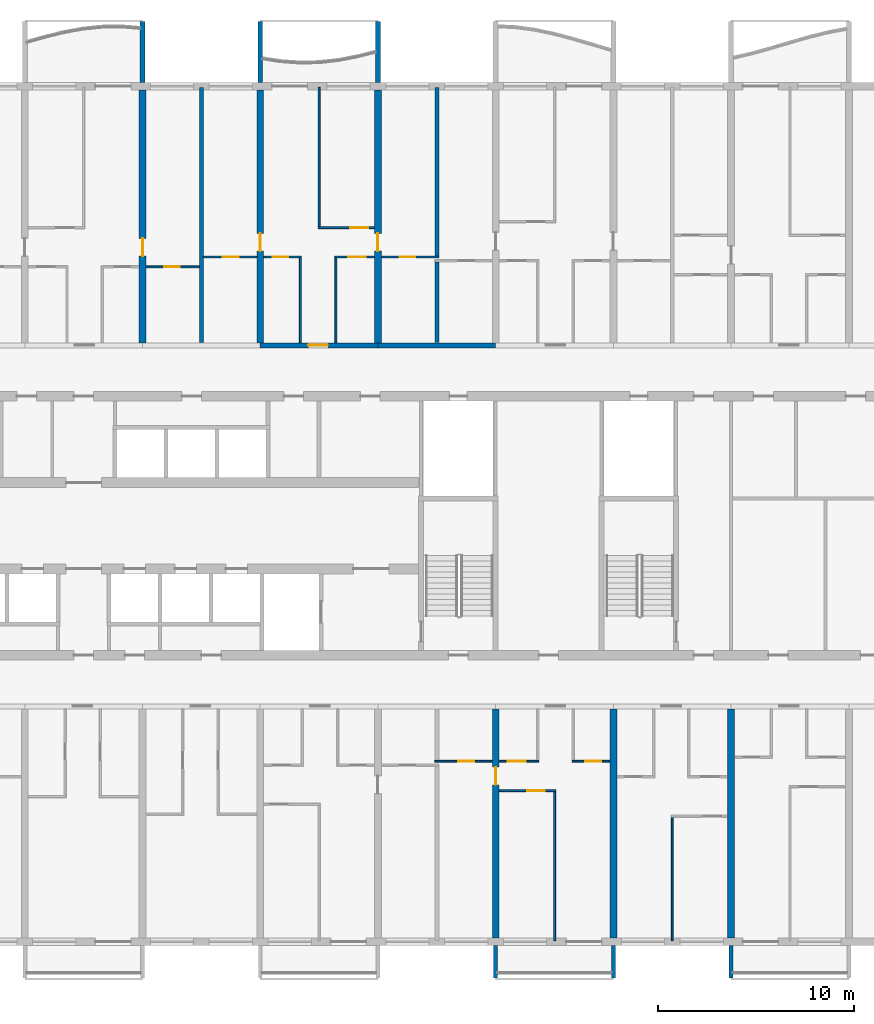
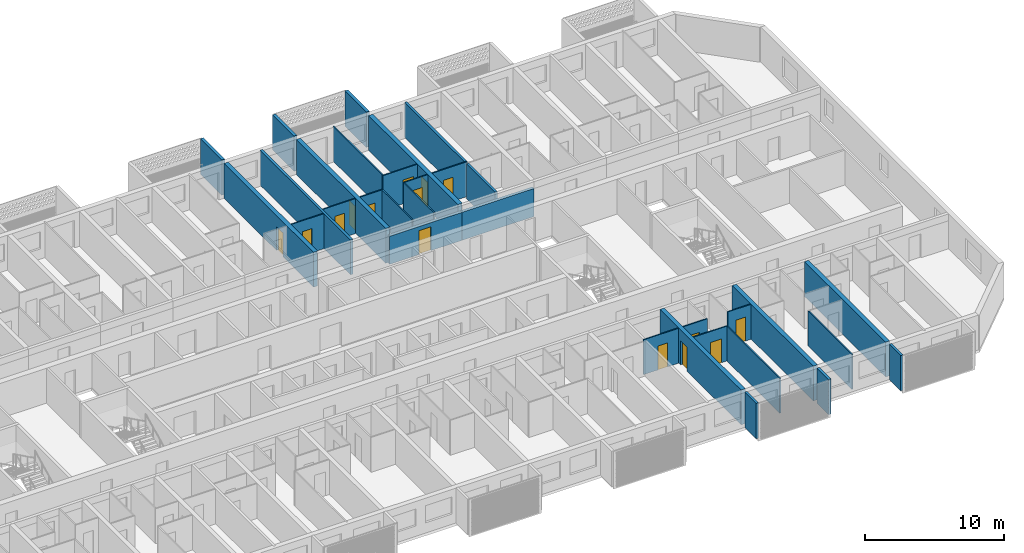
# One storey, part 13 of 29: 32 walls, 15 doors, 15 openings.
"""IFC4 building model written with IfcOpenShell, lengths in metres."""

from ifc_helpers import new_model, si_unit, direction, frame, frame_2d, origin, place, context, subcontext, project, spatial, polyline, rectangle, outline, extrude, source, transform, mapped, material, layer, layer_set, type_object, element, fill, save


model = new_model("IFC4")

# Units and contexts
model_context = context("Model", 3, precision=1e-05, world=origin(), true_north=direction((0.0, 1.0)))
body_context = subcontext(model_context, "Body", "Model", "MODEL_VIEW")
ifc_project = project(units=[si_unit("LENGTHUNIT", "METRE"), si_unit("AREAUNIT", "SQUARE_METRE"), si_unit("VOLUMEUNIT", "CUBIC_METRE"), si_unit("PLANEANGLEUNIT", "RADIAN"), si_unit("MASSUNIT", "GRAM", prefix="KILO")], contexts=[model_context])

# Site, building, storey
site_placement = place(None, origin())
site = spatial("IfcSite", under=ifc_project, at=site_placement, CompositionType="ELEMENT")
building_placement = place(site_placement, origin())
building = spatial("IfcBuilding", under=site, at=building_placement, Name="Poui Terraces", CompositionType="ELEMENT")
storey_placement = place(building_placement, frame((0.0, 0.0, 86.10009765625)))
storey = spatial("IfcBuildingStorey", under=building, at=storey_placement, Name="L23", CompositionType="ELEMENT", Elevation=86.10009765625)

# Wall, opening, door
ifc_material_1 = material(Name="Concrete 65 MPa", Category="concrete")
ifc_layer_1 = layer(ifc_material_1, 0.25)
ifc_layer_set_1 = layer_set([ifc_layer_1], Name="Concrete 65 MPa")
wall_type_1 = type_object("IfcWallType", Name="CORRIDOR WALL 250 65MPa", PredefinedType="SHEAR", material=ifc_layer_set_1)
wall_1_placement = place(storey_placement, frame((60.0, 30.39990234375, 0.0), z_axis=(0.0, 0.0, 1.0), x_axis=(1.0, 0.0, 0.0)))
wall_1 = element("IfcWall", 1, at=wall_1_placement, inside=storey, type_object=wall_type_1, Name="CORRIDOR WALL LINE E BAY 10", PredefinedType="SHEAR", context=body_context, shape_type="SweptSolid", body=[
    extrude(rectangle(XDim=6.0, YDim=0.25, at=frame_2d((3.0, 0.0))), origin(), (0.0, 0.0, 1.0), 2.4599609375),
])
opening_1_placement = place(wall_1_placement, frame((2.449951171875, 0.0, 0.0)))
opening_1 = element("IfcOpeningElement", 2, at=opening_1_placement, cuts=wall_1, Name="Opening FD30S", PredefinedType="OPENING", context=body_context, shape_type="SweptSolid", body=[
    extrude(rectangle(XDim=1.0, YDim=2.10009765625, at=frame_2d((0.5, 1.050048828125))), frame((0.0, 0.135009765625, 0.0), z_axis=(0.0, -1.0, 0.0), x_axis=(1.0, 0.0, 0.0)), (0.0, 0.0, 1.0), 0.27001953125),
])
ifc_material_2 = material(Name="Steel fire door", Category="steel")
door_type_1 = type_object("IfcDoorType", Name="FLAT ENTRANCE DOOR 1000 X 2100", OperationType="NOTDEFINED", PredefinedType="DOOR", material=ifc_material_2)
door_1_placement = place(opening_1_placement, origin())
door_1 = element("IfcDoor", 3, at=door_1_placement, inside=storey, type_object=door_type_1, Name="FLAT ENTRANCE DOOR 065", OperationType="SINGLE_SWING_LEFT", OverallHeight=2.10009765625, OverallWidth=1.0, PredefinedType="DOOR", context=body_context, shape_type="SweptSolid", body=[
    extrude(rectangle(XDim=1.0, YDim=2.10009765625, at=frame_2d((0.5, 1.050048828125))), frame((0.0, 0.02490234375, 0.0), z_axis=(0.0, -1.0, 0.0), x_axis=(1.0, 0.0, 0.0)), (0.0, 0.0, 1.0), 0.050048828125),
])
fill(opening_1, door_1)

# Wall
wall_2_placement = place(storey_placement, frame((66.0, 30.39990234375, 0.0), z_axis=(0.0, 0.0, 1.0), x_axis=(1.0, 0.0, 0.0)))
element("IfcWall", 4, at=wall_2_placement, inside=storey, type_object=wall_type_1, Name="CORRIDOR WALL LINE E BAY 11", PredefinedType="SHEAR", context=body_context, shape_type="SweptSolid", body=[
    extrude(rectangle(XDim=6.0, YDim=0.25, at=frame_2d((3.0, 0.0))), origin(), (0.0, 0.0, 1.0), 2.4599609375),
])

# Wall, opening, door
ifc_layer_2 = layer(ifc_material_1, 0.35009765625)
ifc_layer_set_2 = layer_set([ifc_layer_2], Name="Concrete 65 MPa")
wall_type_2 = type_object("IfcWallType", Name="CROSS WALL 350 65MPa", PredefinedType="SHEAR", material=ifc_layer_set_2)
wall_3_placement = place(storey_placement, frame((54.0, 30.52490234375, 0.0), z_axis=(0.0, 0.0, 1.0), x_axis=(0.0, 1.0, 0.0)))
wall_3 = element("IfcWall", 5, at=wall_3_placement, inside=storey, type_object=wall_type_2, Name="CROSS WALL LINE 10 NORTH", PredefinedType="SHEAR", context=body_context, shape_type="SweptSolid", body=[
    extrude(rectangle(XDim=12.875, YDim=0.35009765625, at=frame_2d((6.4375, 0.0))), origin(), (0.0, 0.0, 1.0), 3.059814453125),
])
opening_2_placement = place(wall_3_placement, frame((4.425048828125, 0.0, 0.0)))
opening_2 = element("IfcOpeningElement", 6, at=opening_2_placement, cuts=wall_3, Name="Opening D90", PredefinedType="OPENING", context=body_context, shape_type="SweptSolid", body=[
    extrude(rectangle(XDim=0.89990234375, YDim=2.10009765625, at=frame_2d((0.449951171875, 1.050048828125))), frame((0.0, 0.18505859375, 0.0), z_axis=(0.0, -1.0, 0.0), x_axis=(1.0, 0.0, 0.0)), (0.0, 0.0, 1.0), 0.3701171875),
])
ifc_material_3 = material(Name="Solid core timber door", Category="wood")
door_type_2 = type_object("IfcDoorType", Name="INTERNAL DOOR 900 X 2100", OperationType="NOTDEFINED", PredefinedType="DOOR", material=ifc_material_3)
door_2_placement = place(opening_2_placement, frame((0.89990234375, 0.0, 0.0), z_axis=(0.0, 0.0, 1.0), x_axis=(-1.0, 0.0, 0.0)))
door_2 = element("IfcDoor", 7, at=door_2_placement, inside=storey, type_object=door_type_2, Name="INTERNAL DOOR 060", OperationType="SINGLE_SWING_RIGHT", OverallHeight=2.10009765625, OverallWidth=0.89990234375, PredefinedType="DOOR", context=body_context, shape_type="SweptSolid", body=[
    extrude(rectangle(XDim=0.89990234375, YDim=2.10009765625, at=frame_2d((0.449951171875, 1.050048828125))), frame((0.0, 0.02490234375, 0.0), z_axis=(0.0, -1.0, 0.0), x_axis=(1.0, 0.0, 0.0)), (0.0, 0.0, 1.0), 0.050048828125),
])
fill(opening_2, door_2)

wall_4_placement = place(storey_placement, frame((60.0, 30.52490234375, 0.0), z_axis=(0.0, 0.0, 1.0), x_axis=(0.0, 1.0, 0.0)))
wall_4 = element("IfcWall", 8, at=wall_4_placement, inside=storey, type_object=wall_type_2, Name="CROSS WALL LINE 11 NORTH", PredefinedType="SHEAR", context=body_context, shape_type="SweptSolid", body=[
    extrude(rectangle(XDim=12.875, YDim=0.35009765625, at=frame_2d((6.4375, 0.0))), origin(), (0.0, 0.0, 1.0), 3.059814453125),
])
opening_3_placement = place(wall_4_placement, frame((4.675048828125, 0.0, 0.0)))
opening_3 = element("IfcOpeningElement", 9, at=opening_3_placement, cuts=wall_4, Name="Opening D90", PredefinedType="OPENING", context=body_context, shape_type="SweptSolid", body=[
    extrude(rectangle(XDim=0.89990234375, YDim=2.10009765625, at=frame_2d((0.449951171875, 1.050048828125))), frame((0.0, 0.18505859375, 0.0), z_axis=(0.0, -1.0, 0.0), x_axis=(1.0, 0.0, 0.0)), (0.0, 0.0, 1.0), 0.3701171875),
])
door_3_placement = place(opening_3_placement, origin())
door_3 = element("IfcDoor", 10, at=door_3_placement, inside=storey, type_object=door_type_2, Name="INTERNAL DOOR 063", OperationType="SINGLE_SWING_LEFT", OverallHeight=2.10009765625, OverallWidth=0.89990234375, PredefinedType="DOOR", context=body_context, shape_type="SweptSolid", body=[
    extrude(rectangle(XDim=0.89990234375, YDim=2.10009765625, at=frame_2d((0.449951171875, 1.050048828125))), frame((0.0, 0.02490234375, 0.0), z_axis=(0.0, -1.0, 0.0), x_axis=(1.0, 0.0, 0.0)), (0.0, 0.0, 1.0), 0.050048828125),
])
fill(opening_3, door_3)

wall_5_placement = place(storey_placement, frame((66.0, 30.52490234375, 0.0), z_axis=(0.0, 0.0, 1.0), x_axis=(0.0, 1.0, 0.0)))
wall_5 = element("IfcWall", 11, at=wall_5_placement, inside=storey, type_object=wall_type_2, Name="CROSS WALL LINE 12 NORTH", PredefinedType="SHEAR", context=body_context, shape_type="SweptSolid", body=[
    extrude(rectangle(XDim=12.875, YDim=0.35009765625, at=frame_2d((6.4375, 0.0))), origin(), (0.0, 0.0, 1.0), 3.059814453125),
])
opening_4_placement = place(wall_5_placement, frame((4.675048828125, 0.0, 0.0)))
opening_4 = element("IfcOpeningElement", 12, at=opening_4_placement, cuts=wall_5, Name="Opening D90", PredefinedType="OPENING", context=body_context, shape_type="SweptSolid", body=[
    extrude(rectangle(XDim=0.89990234375, YDim=2.10009765625, at=frame_2d((0.449951171875, 1.050048828125))), frame((0.0, 0.18505859375, 0.0), z_axis=(0.0, -1.0, 0.0), x_axis=(1.0, 0.0, 0.0)), (0.0, 0.0, 1.0), 0.3701171875),
])
door_4_placement = place(opening_4_placement, frame((0.89990234375, 0.0, 0.0), z_axis=(0.0, 0.0, 1.0), x_axis=(-1.0, 0.0, 0.0)))
door_4 = element("IfcDoor", 13, at=door_4_placement, inside=storey, type_object=door_type_2, Name="INTERNAL DOOR 068", OperationType="SINGLE_SWING_RIGHT", OverallHeight=2.10009765625, OverallWidth=0.89990234375, PredefinedType="DOOR", context=body_context, shape_type="SweptSolid", body=[
    extrude(rectangle(XDim=0.89990234375, YDim=2.10009765625, at=frame_2d((0.449951171875, 1.050048828125))), frame((0.0, 0.02490234375, 0.0), z_axis=(0.0, -1.0, 0.0), x_axis=(1.0, 0.0, 0.0)), (0.0, 0.0, 1.0), 0.050048828125),
])
fill(opening_4, door_4)

wall_6_placement = place(storey_placement, frame((72.0, 0.199951171875, 0.0), z_axis=(0.0, 0.0, 1.0), x_axis=(0.0, 1.0, 0.0)))
wall_6 = element("IfcWall", 14, at=wall_6_placement, inside=storey, type_object=wall_type_2, Name="CROSS WALL LINE 13 SOUTH", PredefinedType="SHEAR", context=body_context, shape_type="SweptSolid", body=[
    extrude(rectangle(XDim=11.675048828125, YDim=0.35009765625, at=frame_2d((5.83740234375, 0.0))), origin(), (0.0, 0.0, 1.0), 3.059814453125),
])
opening_5_placement = place(wall_6_placement, frame((7.800048828125, 0.0, 0.0)))
opening_5 = element("IfcOpeningElement", 15, at=opening_5_placement, cuts=wall_6, Name="Opening D90", PredefinedType="OPENING", context=body_context, shape_type="SweptSolid", body=[
    extrude(rectangle(XDim=0.89990234375, YDim=2.10009765625, at=frame_2d((0.449951171875, 1.050048828125))), frame((0.0, 0.18505859375, 0.0), z_axis=(0.0, -1.0, 0.0), x_axis=(1.0, 0.0, 0.0)), (0.0, 0.0, 1.0), 0.3701171875),
])
door_5_placement = place(opening_5_placement, origin())
door_5 = element("IfcDoor", 16, at=door_5_placement, inside=storey, type_object=door_type_2, Name="INTERNAL DOOR 122", OperationType="SINGLE_SWING_RIGHT", OverallHeight=2.10009765625, OverallWidth=0.89990234375, PredefinedType="DOOR", context=body_context, shape_type="SweptSolid", body=[
    extrude(rectangle(XDim=0.89990234375, YDim=2.10009765625, at=frame_2d((0.449951171875, 1.050048828125))), frame((0.0, 0.02490234375, 0.0), z_axis=(0.0, -1.0, 0.0), x_axis=(1.0, 0.0, 0.0)), (0.0, 0.0, 1.0), 0.050048828125),
])
fill(opening_5, door_5)

# Walls
for number, where, z_axis, x_axis, name in (
    (17, (78.0, 0.199951171875, 0.0), (0.0, 0.0, 1.0), (0.0, 1.0, 0.0), "CROSS WALL LINE 14 SOUTH"),
    (18, (84.0, 0.199951171875, 0.0), (0.0, 0.0, 1.0), (0.0, 1.0, 0.0), "CROSS WALL LINE 15 SOUTH"),
):
    element("IfcWall", number, at=place(storey_placement, frame(where, z_axis=z_axis, x_axis=x_axis)), inside=storey, type_object=wall_type_2, Name=name, PredefinedType="SHEAR", context=body_context, shape_type="SweptSolid", body=[
        extrude(rectangle(XDim=11.675048828125, YDim=0.35009765625, at=frame_2d((5.83740234375, 0.0))), origin(), (0.0, 0.0, 1.0), 3.059814453125),
    ])

# Wall, opening, door
ifc_material_4 = material(Name="Plasterboard partition")
ifc_layer_3 = layer(ifc_material_4, 0.10009765625)
ifc_layer_set_3 = layer_set([ifc_layer_3], Name="Plasterboard partition")
wall_type_3 = type_object("IfcWallType", Name="FLAT PARTITION 100", PredefinedType="PARTITIONING", material=ifc_layer_set_3)
wall_7_placement = place(storey_placement, frame((72.18505859375, 7.699951171875, 0.0), z_axis=(0.0, 0.0, 1.0), x_axis=(1.0, 0.0, 0.0)))
wall_7 = element("IfcWall", 19, at=wall_7_placement, inside=storey, type_object=wall_type_3, Name="FLAT PARTITION 100", PredefinedType="PARTITIONING", context=body_context, shape_type="SweptSolid", body=[
    extrude(rectangle(XDim=2.864990234375, YDim=0.10009765625, at=frame_2d((1.4326171875, 0.0))), origin(), (0.0, 0.0, 1.0), 3.059814453125),
])
opening_6_placement = place(wall_7_placement, frame((1.4150390625, 0.0, 0.0)))
opening_6 = element("IfcOpeningElement", 20, at=opening_6_placement, cuts=wall_7, Name="Opening D90", PredefinedType="OPENING", context=body_context, shape_type="SweptSolid", body=[
    extrude(rectangle(XDim=0.89990234375, YDim=2.10009765625, at=frame_2d((0.449951171875, 1.050048828125))), frame((0.0, 0.06005859375, 0.0), z_axis=(0.0, -1.0, 0.0), x_axis=(1.0, 0.0, 0.0)), (0.0, 0.0, 1.0), 0.1201171875),
])
door_6_placement = place(opening_6_placement, origin())
door_6 = element("IfcDoor", 21, at=door_6_placement, inside=storey, type_object=door_type_2, Name="INTERNAL DOOR 124", OperationType="SINGLE_SWING_LEFT", OverallHeight=2.10009765625, OverallWidth=0.89990234375, PredefinedType="DOOR", context=body_context, shape_type="SweptSolid", body=[
    extrude(rectangle(XDim=0.89990234375, YDim=2.10009765625, at=frame_2d((0.449951171875, 1.050048828125))), frame((0.0, 0.02490234375, 0.0), z_axis=(0.0, -1.0, 0.0), x_axis=(1.0, 0.0, 0.0)), (0.0, 0.0, 1.0), 0.050048828125),
])
fill(opening_6, door_6)

wall_8_placement = place(storey_placement, frame((68.89990234375, 9.199951171875, 0.0), z_axis=(0.0, 0.0, 1.0), x_axis=(1.0, 0.0, 0.0)))
wall_8 = element("IfcWall", 22, at=wall_8_placement, inside=storey, type_object=wall_type_3, Name="FLAT PARTITION 100", PredefinedType="PARTITIONING", context=body_context, shape_type="SweptSolid", body=[
    extrude(rectangle(XDim=2.9150390625, YDim=0.10009765625, at=frame_2d((1.45751953125, 0.0))), origin(), (0.0, 0.0, 1.0), 3.059814453125),
])
opening_7_placement = place(wall_8_placement, frame((1.199951171875, 0.0, 0.0)))
opening_7 = element("IfcOpeningElement", 23, at=opening_7_placement, cuts=wall_8, Name="Opening D80", PredefinedType="OPENING", context=body_context, shape_type="SweptSolid", body=[
    extrude(rectangle(XDim=0.800048828125, YDim=2.10009765625, at=frame_2d((0.39990234375, 1.050048828125))), frame((0.0, 0.06005859375, 0.0), z_axis=(0.0, -1.0, 0.0), x_axis=(1.0, 0.0, 0.0)), (0.0, 0.0, 1.0), 0.1201171875),
])
door_type_3 = type_object("IfcDoorType", Name="BATHROOM, LAUNDRY AND STORE DOOR 800 X 2100", OperationType="NOTDEFINED", PredefinedType="DOOR", material=ifc_material_3)
door_7_placement = place(opening_7_placement, origin())
door_7 = element("IfcDoor", 24, at=door_7_placement, inside=storey, type_object=door_type_3, Name="BATHROOM, LAUNDRY AND STORE DOOR 121", OperationType="SINGLE_SWING_RIGHT", OverallHeight=2.10009765625, OverallWidth=0.800048828125, PredefinedType="DOOR", context=body_context, shape_type="SweptSolid", body=[
    extrude(rectangle(XDim=0.800048828125, YDim=2.10009765625, at=frame_2d((0.39990234375, 1.050048828125))), frame((0.0, 0.02490234375, 0.0), z_axis=(0.0, -1.0, 0.0), x_axis=(1.0, 0.0, 0.0)), (0.0, 0.0, 1.0), 0.050048828125),
])
fill(opening_7, door_7)

wall_9_placement = place(storey_placement, frame((72.18505859375, 9.199951171875, 0.0), z_axis=(0.0, 0.0, 1.0), x_axis=(1.0, 0.0, 0.0)))
wall_9 = element("IfcWall", 25, at=wall_9_placement, inside=storey, type_object=wall_type_3, Name="FLAT PARTITION 100", PredefinedType="PARTITIONING", context=body_context, shape_type="SweptSolid", body=[
    extrude(rectangle(XDim=2.014892578125, YDim=0.10009765625, at=frame_2d((1.00732421875, 0.0))), origin(), (0.0, 0.0, 1.0), 3.059814453125),
])
opening_8_placement = place(wall_9_placement, frame((0.43994140625, 0.0, 0.0)))
opening_8 = element("IfcOpeningElement", 26, at=opening_8_placement, cuts=wall_9, Name="Opening D90", PredefinedType="OPENING", context=body_context, shape_type="SweptSolid", body=[
    extrude(rectangle(XDim=0.89990234375, YDim=2.10009765625, at=frame_2d((0.449951171875, 1.050048828125))), frame((0.0, 0.06005859375, 0.0), z_axis=(0.0, -1.0, 0.0), x_axis=(1.0, 0.0, 0.0)), (0.0, 0.0, 1.0), 0.1201171875),
])
door_8_placement = place(opening_8_placement, origin())
door_8 = element("IfcDoor", 27, at=door_8_placement, inside=storey, type_object=door_type_2, Name="INTERNAL DOOR 123", OperationType="SINGLE_SWING_RIGHT", OverallHeight=2.10009765625, OverallWidth=0.89990234375, PredefinedType="DOOR", context=body_context, shape_type="SweptSolid", body=[
    extrude(rectangle(XDim=0.89990234375, YDim=2.10009765625, at=frame_2d((0.449951171875, 1.050048828125))), frame((0.0, 0.02490234375, 0.0), z_axis=(0.0, -1.0, 0.0), x_axis=(1.0, 0.0, 0.0)), (0.0, 0.0, 1.0), 0.050048828125),
])
fill(opening_8, door_8)

wall_10_placement = place(storey_placement, frame((75.89990234375, 9.199951171875, 0.0), z_axis=(0.0, 0.0, 1.0), x_axis=(1.0, 0.0, 0.0)))
wall_10 = element("IfcWall", 28, at=wall_10_placement, inside=storey, type_object=wall_type_3, Name="FLAT PARTITION 100", PredefinedType="PARTITIONING", context=body_context, shape_type="SweptSolid", body=[
    extrude(rectangle(XDim=1.9150390625, YDim=0.10009765625, at=frame_2d((0.95751953125, 0.0))), origin(), (0.0, 0.0, 1.0), 3.059814453125),
])
opening_9_placement = place(wall_10_placement, frame((0.675048828125, 0.0, 0.0)))
opening_9 = element("IfcOpeningElement", 29, at=opening_9_placement, cuts=wall_10, Name="Opening D80", PredefinedType="OPENING", context=body_context, shape_type="SweptSolid", body=[
    extrude(rectangle(XDim=0.800048828125, YDim=2.10009765625, at=frame_2d((0.39990234375, 1.050048828125))), frame((0.0, 0.06005859375, 0.0), z_axis=(0.0, -1.0, 0.0), x_axis=(1.0, 0.0, 0.0)), (0.0, 0.0, 1.0), 0.1201171875),
])
door_9_placement = place(opening_9_placement, origin())
door_9 = element("IfcDoor", 30, at=door_9_placement, inside=storey, type_object=door_type_3, Name="BATHROOM, LAUNDRY AND STORE DOOR 126", OperationType="SINGLE_SWING_LEFT", OverallHeight=2.10009765625, OverallWidth=0.800048828125, PredefinedType="DOOR", context=body_context, shape_type="SweptSolid", body=[
    extrude(rectangle(XDim=0.800048828125, YDim=2.10009765625, at=frame_2d((0.39990234375, 1.050048828125))), frame((0.0, 0.02490234375, 0.0), z_axis=(0.0, -1.0, 0.0), x_axis=(1.0, 0.0, 0.0)), (0.0, 0.0, 1.0), 0.050048828125),
])
fill(opening_9, door_9)

wall_11_placement = place(storey_placement, frame((54.18505859375, 34.39990234375, 0.0), z_axis=(0.0, 0.0, 1.0), x_axis=(1.0, 0.0, 0.0)))
wall_11 = element("IfcWall", 31, at=wall_11_placement, inside=storey, type_object=wall_type_3, Name="FLAT PARTITION 100", PredefinedType="PARTITIONING", context=body_context, shape_type="SweptSolid", body=[
    extrude(rectangle(XDim=2.71484375, YDim=0.10009765625, at=frame_2d((1.357421875, 0.0))), origin(), (0.0, 0.0, 1.0), 3.059814453125),
])
opening_10_placement = place(wall_11_placement, frame((0.9150390625, 0.0, 0.0)))
opening_10 = element("IfcOpeningElement", 32, at=opening_10_placement, cuts=wall_11, Name="Opening D80", PredefinedType="OPENING", context=body_context, shape_type="SweptSolid", body=[
    extrude(rectangle(XDim=0.800048828125, YDim=2.10009765625, at=frame_2d((0.39990234375, 1.050048828125))), frame((0.0, 0.06005859375, 0.0), z_axis=(0.0, -1.0, 0.0), x_axis=(1.0, 0.0, 0.0)), (0.0, 0.0, 1.0), 0.1201171875),
])
door_10_placement = place(opening_10_placement, frame((0.800048828125, 0.0, 0.0), z_axis=(0.0, 0.0, 1.0), x_axis=(-1.0, 0.0, 0.0)))
door_10 = element("IfcDoor", 33, at=door_10_placement, inside=storey, type_object=door_type_3, Name="BATHROOM, LAUNDRY AND STORE DOOR 054", OperationType="SINGLE_SWING_LEFT", OverallHeight=2.10009765625, OverallWidth=0.800048828125, PredefinedType="DOOR", context=body_context, shape_type="SweptSolid", body=[
    extrude(rectangle(XDim=0.800048828125, YDim=2.10009765625, at=frame_2d((0.39990234375, 1.050048828125))), frame((0.0, 0.02490234375, 0.0), z_axis=(0.0, -1.0, 0.0), x_axis=(1.0, 0.0, 0.0)), (0.0, 0.0, 1.0), 0.050048828125),
])
fill(opening_10, door_10)

wall_12_placement = place(storey_placement, frame((57.10009765625, 34.89990234375, 0.0), z_axis=(0.0, 0.0, 1.0), x_axis=(1.0, 0.0, 0.0)))
wall_12 = element("IfcWall", 34, at=wall_12_placement, inside=storey, type_object=wall_type_3, Name="FLAT PARTITION 100", PredefinedType="PARTITIONING", context=body_context, shape_type="SweptSolid", body=[
    extrude(rectangle(XDim=2.71484375, YDim=0.10009765625, at=frame_2d((1.357421875, 0.0))), origin(), (0.0, 0.0, 1.0), 3.059814453125),
])
opening_11_placement = place(wall_12_placement, frame((1.0, 0.0, 0.0)))
opening_11 = element("IfcOpeningElement", 35, at=opening_11_placement, cuts=wall_12, Name="Opening D80", PredefinedType="OPENING", context=body_context, shape_type="SweptSolid", body=[
    extrude(rectangle(XDim=0.800048828125, YDim=2.10009765625, at=frame_2d((0.39990234375, 1.050048828125))), frame((0.0, 0.06005859375, 0.0), z_axis=(0.0, -1.0, 0.0), x_axis=(1.0, 0.0, 0.0)), (0.0, 0.0, 1.0), 0.1201171875),
])
door_11_placement = place(opening_11_placement, frame((0.800048828125, 0.0, 0.0), z_axis=(0.0, 0.0, 1.0), x_axis=(-1.0, 0.0, 0.0)))
door_11 = element("IfcDoor", 36, at=door_11_placement, inside=storey, type_object=door_type_3, Name="BATHROOM, LAUNDRY AND STORE DOOR 061", OperationType="SINGLE_SWING_RIGHT", OverallHeight=2.10009765625, OverallWidth=0.800048828125, PredefinedType="DOOR", context=body_context, shape_type="SweptSolid", body=[
    extrude(rectangle(XDim=0.800048828125, YDim=2.10009765625, at=frame_2d((0.39990234375, 1.050048828125))), frame((0.0, 0.02490234375, 0.0), z_axis=(0.0, -1.0, 0.0), x_axis=(1.0, 0.0, 0.0)), (0.0, 0.0, 1.0), 0.050048828125),
])
fill(opening_11, door_11)

wall_13_placement = place(storey_placement, frame((60.18505859375, 34.89990234375, 0.0), z_axis=(0.0, 0.0, 1.0), x_axis=(1.0, 0.0, 0.0)))
wall_13 = element("IfcWall", 37, at=wall_13_placement, inside=storey, type_object=wall_type_3, Name="FLAT PARTITION 100", PredefinedType="PARTITIONING", context=body_context, shape_type="SweptSolid", body=[
    extrude(rectangle(XDim=1.9150390625, YDim=0.10009765625, at=frame_2d((0.95751953125, 0.0))), origin(), (0.0, 0.0, 1.0), 3.059814453125),
])
opening_12_placement = place(wall_13_placement, frame((0.43994140625, 0.0, 0.0)))
opening_12 = element("IfcOpeningElement", 38, at=opening_12_placement, cuts=wall_13, Name="Opening D80", PredefinedType="OPENING", context=body_context, shape_type="SweptSolid", body=[
    extrude(rectangle(XDim=0.800048828125, YDim=2.10009765625, at=frame_2d((0.39990234375, 1.050048828125))), frame((0.0, 0.06005859375, 0.0), z_axis=(0.0, -1.0, 0.0), x_axis=(1.0, 0.0, 0.0)), (0.0, 0.0, 1.0), 0.1201171875),
])
door_12_placement = place(opening_12_placement, frame((0.800048828125, 0.0, 0.0), z_axis=(0.0, 0.0, 1.0), x_axis=(-1.0, 0.0, 0.0)))
door_12 = element("IfcDoor", 39, at=door_12_placement, inside=storey, type_object=door_type_3, Name="BATHROOM, LAUNDRY AND STORE DOOR 064", OperationType="SINGLE_SWING_RIGHT", OverallHeight=2.10009765625, OverallWidth=0.800048828125, PredefinedType="DOOR", context=body_context, shape_type="SweptSolid", body=[
    extrude(rectangle(XDim=0.800048828125, YDim=2.10009765625, at=frame_2d((0.39990234375, 1.050048828125))), frame((0.0, 0.02490234375, 0.0), z_axis=(0.0, -1.0, 0.0), x_axis=(1.0, 0.0, 0.0)), (0.0, 0.0, 1.0), 0.050048828125),
])
fill(opening_12, door_12)

wall_14_placement = place(storey_placement, frame((63.800048828125, 34.89990234375, 0.0), z_axis=(0.0, 0.0, 1.0), x_axis=(1.0, 0.0, 0.0)))
wall_14 = element("IfcWall", 40, at=wall_14_placement, inside=storey, type_object=wall_type_3, Name="FLAT PARTITION 100", PredefinedType="PARTITIONING", context=body_context, shape_type="SweptSolid", body=[
    extrude(rectangle(XDim=2.014892578125, YDim=0.10009765625, at=frame_2d((1.00732421875, 0.0))), origin(), (0.0, 0.0, 1.0), 3.059814453125),
])
opening_13_placement = place(wall_14_placement, frame((0.675048828125, 0.0, 0.0)))
opening_13 = element("IfcOpeningElement", 41, at=opening_13_placement, cuts=wall_14, Name="Opening D90", PredefinedType="OPENING", context=body_context, shape_type="SweptSolid", body=[
    extrude(rectangle(XDim=0.89990234375, YDim=2.10009765625, at=frame_2d((0.449951171875, 1.050048828125))), frame((0.0, 0.06005859375, 0.0), z_axis=(0.0, -1.0, 0.0), x_axis=(1.0, 0.0, 0.0)), (0.0, 0.0, 1.0), 0.1201171875),
])
door_13_placement = place(opening_13_placement, frame((0.89990234375, 0.0, 0.0), z_axis=(0.0, 0.0, 1.0), x_axis=(-1.0, 0.0, 0.0)))
door_13 = element("IfcDoor", 42, at=door_13_placement, inside=storey, type_object=door_type_2, Name="INTERNAL DOOR 066", OperationType="SINGLE_SWING_LEFT", OverallHeight=2.10009765625, OverallWidth=0.89990234375, PredefinedType="DOOR", context=body_context, shape_type="SweptSolid", body=[
    extrude(rectangle(XDim=0.89990234375, YDim=2.10009765625, at=frame_2d((0.449951171875, 1.050048828125))), frame((0.0, 0.02490234375, 0.0), z_axis=(0.0, -1.0, 0.0), x_axis=(1.0, 0.0, 0.0)), (0.0, 0.0, 1.0), 0.050048828125),
])
fill(opening_13, door_13)

wall_15_placement = place(storey_placement, frame((66.18505859375, 34.89990234375, 0.0), z_axis=(0.0, 0.0, 1.0), x_axis=(1.0, 0.0, 0.0)))
wall_15 = element("IfcWall", 43, at=wall_15_placement, inside=storey, type_object=wall_type_3, Name="FLAT PARTITION 100", PredefinedType="PARTITIONING", context=body_context, shape_type="SweptSolid", body=[
    extrude(rectangle(XDim=2.9150390625, YDim=0.10009765625, at=frame_2d((1.45751953125, 0.0))), origin(), (0.0, 0.0, 1.0), 3.059814453125),
])
opening_14_placement = place(wall_15_placement, frame((0.9150390625, 0.0, 0.0)))
opening_14 = element("IfcOpeningElement", 44, at=opening_14_placement, cuts=wall_15, Name="Opening D80", PredefinedType="OPENING", context=body_context, shape_type="SweptSolid", body=[
    extrude(rectangle(XDim=0.800048828125, YDim=2.10009765625, at=frame_2d((0.39990234375, 1.050048828125))), frame((0.0, 0.06005859375, 0.0), z_axis=(0.0, -1.0, 0.0), x_axis=(1.0, 0.0, 0.0)), (0.0, 0.0, 1.0), 0.1201171875),
])
door_14_placement = place(opening_14_placement, frame((0.800048828125, 0.0, 0.0), z_axis=(0.0, 0.0, 1.0), x_axis=(-1.0, 0.0, 0.0)))
door_14 = element("IfcDoor", 45, at=door_14_placement, inside=storey, type_object=door_type_3, Name="BATHROOM, LAUNDRY AND STORE DOOR 062", OperationType="SINGLE_SWING_RIGHT", OverallHeight=2.10009765625, OverallWidth=0.800048828125, PredefinedType="DOOR", context=body_context, shape_type="SweptSolid", body=[
    extrude(rectangle(XDim=0.800048828125, YDim=2.10009765625, at=frame_2d((0.39990234375, 1.050048828125))), frame((0.0, 0.02490234375, 0.0), z_axis=(0.0, -1.0, 0.0), x_axis=(1.0, 0.0, 0.0)), (0.0, 0.0, 1.0), 0.050048828125),
])
fill(opening_14, door_14)

wall_16_placement = place(storey_placement, frame((62.949951171875, 36.39990234375, 0.0), z_axis=(0.0, 0.0, 1.0), x_axis=(1.0, 0.0, 0.0)))
wall_16 = element("IfcWall", 46, at=wall_16_placement, inside=storey, type_object=wall_type_3, Name="FLAT PARTITION 100", PredefinedType="PARTITIONING", context=body_context, shape_type="SweptSolid", body=[
    extrude(rectangle(XDim=2.864990234375, YDim=0.10009765625, at=frame_2d((1.4326171875, 0.0))), origin(), (0.0, 0.0, 1.0), 3.059814453125),
])
opening_15_placement = place(wall_16_placement, frame((1.64990234375, 0.0, 0.0)))
opening_15 = element("IfcOpeningElement", 47, at=opening_15_placement, cuts=wall_16, Name="Opening D90", PredefinedType="OPENING", context=body_context, shape_type="SweptSolid", body=[
    extrude(rectangle(XDim=0.89990234375, YDim=2.10009765625, at=frame_2d((0.449951171875, 1.050048828125))), frame((0.0, 0.06005859375, 0.0), z_axis=(0.0, -1.0, 0.0), x_axis=(1.0, 0.0, 0.0)), (0.0, 0.0, 1.0), 0.1201171875),
])
door_15_placement = place(opening_15_placement, frame((0.89990234375, 0.0, 0.0), z_axis=(0.0, 0.0, 1.0), x_axis=(-1.0, 0.0, 0.0)))
door_15 = element("IfcDoor", 48, at=door_15_placement, inside=storey, type_object=door_type_2, Name="INTERNAL DOOR 067", OperationType="SINGLE_SWING_RIGHT", OverallHeight=2.10009765625, OverallWidth=0.89990234375, PredefinedType="DOOR", context=body_context, shape_type="SweptSolid", body=[
    extrude(rectangle(XDim=0.89990234375, YDim=2.10009765625, at=frame_2d((0.449951171875, 1.050048828125))), frame((0.0, 0.02490234375, 0.0), z_axis=(0.0, -1.0, 0.0), x_axis=(1.0, 0.0, 0.0)), (0.0, 0.0, 1.0), 0.050048828125),
])
fill(opening_15, door_15)

# Walls
wall_17_placement = place(storey_placement, frame((62.050048828125, 30.534912109375, 0.0), z_axis=(0.0, 0.0, 1.0), x_axis=(0.0, 1.0, 0.0)))
element("IfcWall", 49, at=wall_17_placement, inside=storey, type_object=wall_type_3, Name="FLAT PARTITION 100", PredefinedType="PARTITIONING", context=body_context, shape_type="SweptSolid", body=[
    extrude(rectangle(XDim=4.315185546875, YDim=0.10009765625, at=frame_2d((2.15771484375, 0.0))), origin(), (0.0, 0.0, 1.0), 3.059814453125),
])
wall_18_placement = place(storey_placement, frame((63.0, 36.449951171875, 0.0), z_axis=(0.0, 0.0, 1.0), x_axis=(0.0, 1.0, 0.0)))
element("IfcWall", 50, at=wall_18_placement, inside=storey, type_object=wall_type_3, Name="FLAT PARTITION 100", PredefinedType="PARTITIONING", context=body_context, shape_type="SweptSolid", body=[
    extrude(rectangle(XDim=7.090087890625, YDim=0.10009765625, at=frame_2d((3.544921875, 0.0))), origin(), (0.0, 0.0, 1.0), 3.059814453125),
])
wall_19_placement = place(storey_placement, frame((63.85009765625, 30.534912109375, 0.0), z_axis=(0.0, 0.0, 1.0), x_axis=(0.0, 1.0, 0.0)))
element("IfcWall", 51, at=wall_19_placement, inside=storey, type_object=wall_type_3, Name="FLAT PARTITION 100", PredefinedType="PARTITIONING", context=body_context, shape_type="SweptSolid", body=[
    extrude(rectangle(XDim=4.315185546875, YDim=0.10009765625, at=frame_2d((2.15771484375, 0.0))), origin(), (0.0, 0.0, 1.0), 3.059814453125),
])
wall_20_placement = place(storey_placement, frame((75.0, 0.06005859375, 0.0), z_axis=(0.0, 0.0, 1.0), x_axis=(0.0, 1.0, 0.0)))
element("IfcWall", 52, at=wall_20_placement, inside=storey, type_object=wall_type_3, Name="FLAT PARTITION 100", PredefinedType="PARTITIONING", context=body_context, shape_type="SweptSolid", body=[
    extrude(rectangle(XDim=7.58984375, YDim=0.10009765625, at=frame_2d((3.794921875, 0.0))), origin(), (0.0, 0.0, 1.0), 3.059814453125),
])
wall_21_placement = place(storey_placement, frame((81.0, 0.06005859375, 0.0), z_axis=(0.0, 0.0, 1.0), x_axis=(0.0, 1.0, 0.0)))
element("IfcWall", 53, at=wall_21_placement, inside=storey, type_object=wall_type_3, Name="FLAT PARTITION 100", PredefinedType="PARTITIONING", context=body_context, shape_type="SweptSolid", body=[
    extrude(rectangle(XDim=6.2900390625, YDim=0.10009765625, at=frame_2d((3.14501953125, 0.0))), origin(), (0.0, 0.0, 1.0), 3.059814453125),
])
ifc_material_5 = material(Name="Fire-rated masonry wall", Category="masonry")
ifc_layer_4 = layer(ifc_material_5, 0.199951171875)
ifc_layer_set_4 = layer_set([ifc_layer_4], Name="Fire-rated masonry wall")
wall_type_4 = type_object("IfcWallType", Name="FLAT PARTY WALL 200", PredefinedType="PARTITIONING", material=ifc_layer_set_4)
wall_22_placement = place(storey_placement, frame((57.0, 30.534912109375, 0.0), z_axis=(0.0, 0.0, 1.0), x_axis=(0.0, 1.0, 0.0)))
element("IfcWall", 54, at=wall_22_placement, inside=storey, type_object=wall_type_4, Name="FLAT PARTY WALL 200", PredefinedType="PARTITIONING", context=body_context, shape_type="SweptSolid", body=[
    extrude(rectangle(XDim=13.005126953125, YDim=0.199951171875, at=frame_2d((6.50244140625, 0.0))), origin(), (0.0, 0.0, 1.0), 3.059814453125),
])
wall_23_placement = place(storey_placement, frame((69.0, 30.534912109375, 0.0), z_axis=(0.0, 0.0, 1.0), x_axis=(0.0, 1.0, 0.0)))
element("IfcWall", 55, at=wall_23_placement, inside=storey, type_object=wall_type_4, Name="FLAT PARTY WALL 200", PredefinedType="PARTITIONING", context=body_context, shape_type="SweptSolid", body=[
    extrude(rectangle(XDim=4.114990234375, YDim=0.199951171875, at=frame_2d((2.0576171875, 0.0))), origin(), (0.0, 0.0, 1.0), 3.059814453125),
])
wall_24_placement = place(storey_placement, frame((69.0, 34.949951171875, 0.0), z_axis=(0.0, 0.0, 1.0), x_axis=(0.0, 1.0, 0.0)))
element("IfcWall", 56, at=wall_24_placement, inside=storey, type_object=wall_type_4, Name="FLAT PARTY WALL 200", PredefinedType="PARTITIONING", context=body_context, shape_type="SweptSolid", body=[
    extrude(rectangle(XDim=8.590087890625, YDim=0.199951171875, at=frame_2d((4.294921875, 0.0))), origin(), (0.0, 0.0, 1.0), 3.059814453125),
])
ifc_material_6 = material(Name="Precast concrete 40 MPa", Category="concrete")
ifc_layer_5 = layer(ifc_material_6, 0.199951171875)
ifc_layer_set_5 = layer_set([ifc_layer_5], Name="Precast concrete 40 MPa")
wall_type_5 = type_object("IfcWallType", Name="REAR FIN 200", PredefinedType="STANDARD", material=ifc_layer_set_5)
shared_shape_1 = source(origin(), body_context, "Body", "SweptSolid", [
    extrude(outline(polyline([(0.0, 0.0), (0.2001953125, 0.0), (0.2001953125, 1.650146484375), (0.0, 1.650146484375), (0.0, 0.0)])), origin(), (0.0, 0.0, 1.0), 3.099853515625),
])
for number, where, name in (
    (57, (71.89990234375, -1.85009765625, 0.0), "REAR FIN"),
    (58, (77.89990234375, -1.85009765625, 0.0), "REAR FIN"),
    (59, (83.89990234375, -1.85009765625, 0.0), "REAR FIN"),
):
    element("IfcWall", number, at=place(storey_placement, frame(where)), inside=storey, type_object=wall_type_5, Name=name, PredefinedType="STANDARD", context=body_context, shape_type="MappedRepresentation", body=[
        mapped(shared_shape_1, transform((0.0, 0.0, 0.0))),
    ])
ifc_layer_6 = layer(ifc_material_6, 0.25)
ifc_layer_set_6 = layer_set([ifc_layer_6], Name="Precast concrete 40 MPa")
wall_type_6 = type_object("IfcWallType", Name="BALCONY FIN 250", PredefinedType="STANDARD", material=ifc_layer_set_6)
shared_shape_2 = source(origin(), body_context, "Body", "SweptSolid", [
    extrude(outline(polyline([(0.0, 0.0), (0.25, 0.0), (0.25, 3.099853515625), (0.0, 3.099853515625), (0.0, 0.0)])), origin(), (0.0, 0.0, 1.0), 3.099853515625),
])
for number, where, name in (
    (60, (53.875, 43.800048828125, 0.0), "BALCONY FIN"),
    (61, (59.875, 43.800048828125, 0.0), "BALCONY FIN"),
    (62, (65.875, 43.800048828125, 0.0), "BALCONY FIN"),
):
    element("IfcWall", number, at=place(storey_placement, frame(where)), inside=storey, type_object=wall_type_6, Name=name, PredefinedType="STANDARD", context=body_context, shape_type="MappedRepresentation", body=[
        mapped(shared_shape_2, transform((0.0, 0.0, 0.0))),
    ])

save(model, "model.ifc")
